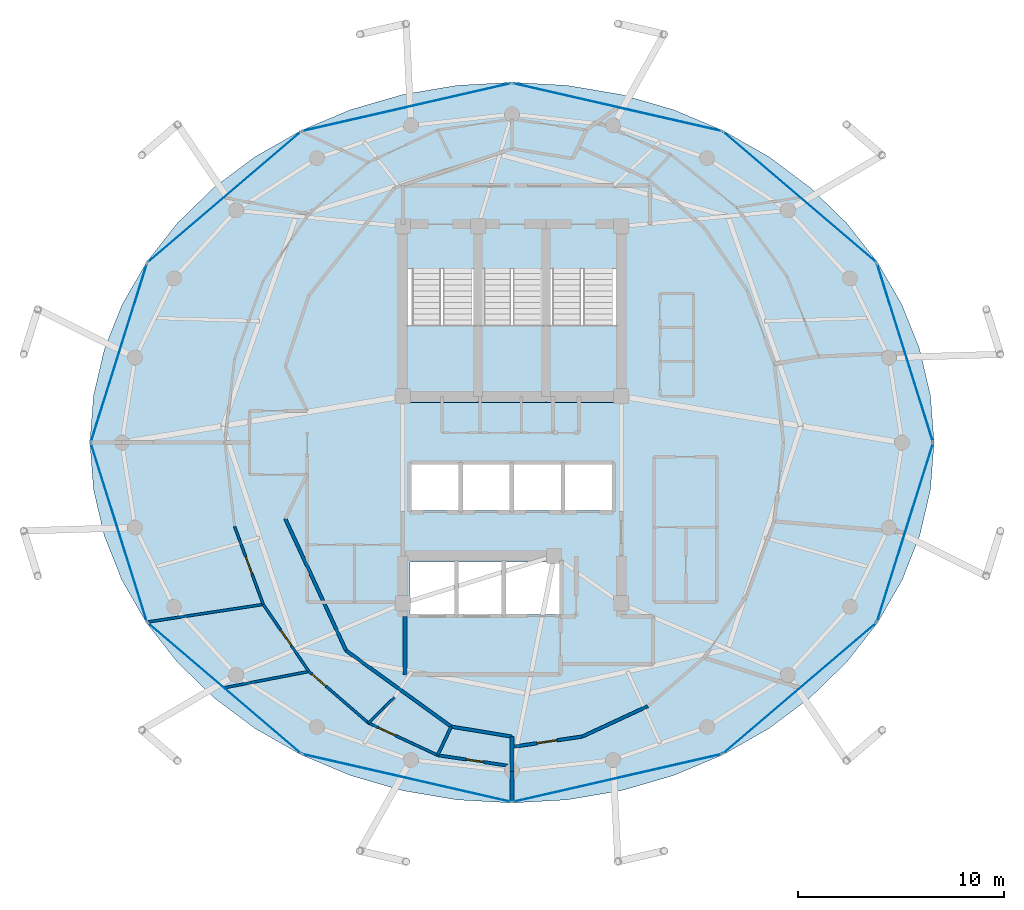
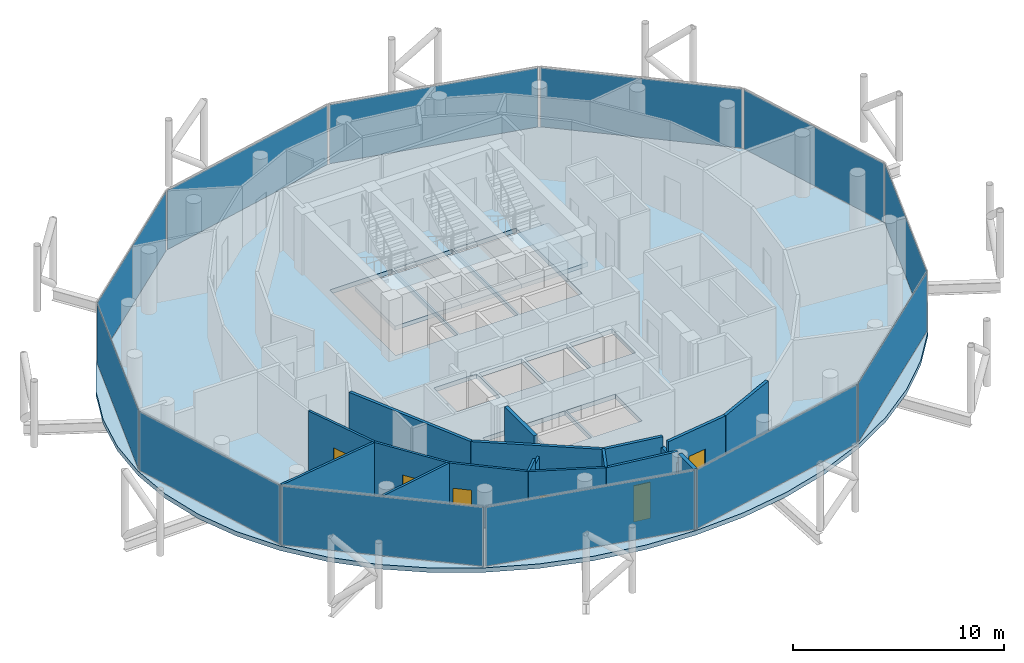
# One storey, part 19 of 24: 18 walls, 12 plates, 6 doors, 4 slabs, 6 openings, 15 elements without a shape of their own.
"""IFC4 building model written with IfcOpenShell, lengths in metres."""

from ifc_helpers import new_model, si_unit, direction, frame, frame_2d, origin, origin_2d, place, context, subcontext, project, spatial, polyline, rectangle, outline, extrude, material, layer, layer_set, type_object, element, fill, aggregate, save


model = new_model("IFC4")

# Units and contexts
model_context = context("Model", 3, precision=1e-05, world=origin(), true_north=direction((0.0, 1.0)))
body_context = subcontext(model_context, "Body", "Model", "MODEL_VIEW")
ifc_project = project(units=[si_unit("LENGTHUNIT", "METRE"), si_unit("AREAUNIT", "SQUARE_METRE"), si_unit("VOLUMEUNIT", "CUBIC_METRE"), si_unit("PLANEANGLEUNIT", "RADIAN"), si_unit("MASSUNIT", "GRAM", prefix="KILO")], contexts=[model_context])

# Site, building, storey
site_placement = place(None, origin())
site = spatial("IfcSite", under=ifc_project, at=site_placement, CompositionType="ELEMENT")
building_placement = place(site_placement, origin())
building = spatial("IfcBuilding", under=site, at=building_placement, Name="Nuhasar Tower", CompositionType="ELEMENT")
storey_placement = place(building_placement, frame((0.0, 0.0, 289.800048828125)))
storey = spatial("IfcBuildingStorey", under=building, at=storey_placement, Name="L72", CompositionType="ELEMENT", Elevation=289.800048828125)

# Curtain wall, plate
ifc_material_1 = material(Name="Aluminium 6063-T6", Category="aluminium")
ifc_layer_1 = layer(ifc_material_1, 0.18994140625)
ifc_layer_set_1 = layer_set([ifc_layer_1], Name="Aluminium 6063-T6")
curtain_wall_type = type_object("IfcCurtainWallType", Name="CW-Z4-PEN", PredefinedType="NOTDEFINED", material=ifc_layer_set_1)
curtain_wall_1_placement = place(storey_placement, origin())
curtain_wall_1 = element("IfcCurtainWall", 1, at=curtain_wall_1_placement, inside=storey, type_object=curtain_wall_type, Name="L72 Unitised Curtain Wall 01", PredefinedType="NOTDEFINED")
ifc_material_2 = material(Name="Glass Double Low-E", Category="glass")
ifc_layer_2 = layer(ifc_material_2, 0.028076171875)
ifc_layer_set_2 = layer_set([ifc_layer_2], Name="Glass Double Low-E")
plate_type = type_object("IfcPlateType", Name="CW-PANEL-GLZ", PredefinedType="CURTAIN_PANEL", material=ifc_layer_set_2)
plate_1_placement = place(storey_placement, frame((58.089599609375, 31.1650390625, 0.06005859375), z_axis=(0.0, 0.0, 1.0), x_axis=(-0.299556614146, 0.954078526601, 0.0)))
plate_1 = element("IfcPlate", 2, at=plate_1_placement, type_object=plate_type, Name="CW-Z4 panel 1.1", PredefinedType="CURTAIN_PANEL", context=body_context, shape_type="SweptSolid", body=[
    extrude(rectangle(XDim=9.0302734375, YDim=0.028076171875, at=origin_2d()), origin(), (0.0, 0.0, 1.0), 3.419921875),
])
aggregate(curtain_wall_1, [plate_1])

curtain_wall_2_placement = place(storey_placement, origin())
curtain_wall_2 = element("IfcCurtainWall", 3, at=curtain_wall_2_placement, inside=storey, type_object=curtain_wall_type, Name="L72 Unitised Curtain Wall 02", PredefinedType="NOTDEFINED")
plate_2_placement = place(storey_placement, frame((52.974609375, 38.7255859375, 0.06005859375), z_axis=(0.0, 0.0, 1.0), x_axis=(-0.760667252327, 0.649141996205, 0.0)))
plate_2 = element("IfcPlate", 4, at=plate_2_placement, type_object=plate_type, Name="CW-Z4 panel 1.1", PredefinedType="CURTAIN_PANEL", context=body_context, shape_type="SweptSolid", body=[
    extrude(rectangle(XDim=9.725341796875, YDim=0.028076171875, at=origin_2d()), origin(), (0.0, 0.0, 1.0), 3.419921875),
])
aggregate(curtain_wall_2, [plate_2])

curtain_wall_3_placement = place(storey_placement, origin())
curtain_wall_3 = element("IfcCurtainWall", 5, at=curtain_wall_3_placement, inside=storey, type_object=curtain_wall_type, Name="L72 Unitised Curtain Wall 03", PredefinedType="NOTDEFINED")
plate_3_placement = place(storey_placement, frame((44.114990234375, 43.090576171875, 0.06005859375), z_axis=(0.0, 0.0, 1.0), x_axis=(-0.97484371891, 0.222889487645, 0.0)))
plate_3 = element("IfcPlate", 6, at=plate_3_placement, type_object=plate_type, Name="CW-Z4 panel 1.1", PredefinedType="CURTAIN_PANEL", context=body_context, shape_type="SweptSolid", body=[
    extrude(rectangle(XDim=10.3740234375, YDim=0.028076171875, at=origin_2d()), origin(), (0.0, 0.0, 1.0), 3.419921875),
])
aggregate(curtain_wall_3, [plate_3])

curtain_wall_4_placement = place(storey_placement, origin())
curtain_wall_4 = element("IfcCurtainWall", 7, at=curtain_wall_4_placement, inside=storey, type_object=curtain_wall_type, Name="L72 Unitised Curtain Wall 04", PredefinedType="NOTDEFINED")
plate_4_placement = place(storey_placement, frame((33.885009765625, 43.090576171875, 0.06005859375), z_axis=(0.0, 0.0, 1.0), x_axis=(-0.97484371891, -0.222889487645, 0.0)))
plate_4 = element("IfcPlate", 8, at=plate_4_placement, type_object=plate_type, Name="CW-Z4 panel 1.1", PredefinedType="CURTAIN_PANEL", context=body_context, shape_type="SweptSolid", body=[
    extrude(rectangle(XDim=10.3740234375, YDim=0.028076171875, at=origin_2d()), origin(), (0.0, 0.0, 1.0), 3.419921875),
])
aggregate(curtain_wall_4, [plate_4])

curtain_wall_5_placement = place(storey_placement, origin())
curtain_wall_5 = element("IfcCurtainWall", 9, at=curtain_wall_5_placement, inside=storey, type_object=curtain_wall_type, Name="L72 Unitised Curtain Wall 05", PredefinedType="NOTDEFINED")
plate_5_placement = place(storey_placement, frame((25.025390625, 38.7255859375, 0.06005859375), z_axis=(0.0, 0.0, 1.0), x_axis=(-0.760667252327, -0.649141996205, 0.0)))
plate_5 = element("IfcPlate", 10, at=plate_5_placement, type_object=plate_type, Name="CW-Z4 panel 1.1", PredefinedType="CURTAIN_PANEL", context=body_context, shape_type="SweptSolid", body=[
    extrude(rectangle(XDim=9.725341796875, YDim=0.028076171875, at=origin_2d()), origin(), (0.0, 0.0, 1.0), 3.419921875),
])
aggregate(curtain_wall_5, [plate_5])

curtain_wall_6_placement = place(storey_placement, origin())
curtain_wall_6 = element("IfcCurtainWall", 11, at=curtain_wall_6_placement, inside=storey, type_object=curtain_wall_type, Name="L72 Unitised Curtain Wall 06", PredefinedType="NOTDEFINED")
plate_6_placement = place(storey_placement, frame((19.910400390625, 31.1650390625, 0.06005859375), z_axis=(0.0, 0.0, 1.0), x_axis=(-0.299556614146, -0.954078526601, 0.0)))
plate_6 = element("IfcPlate", 12, at=plate_6_placement, type_object=plate_type, Name="CW-Z4 panel 1.1", PredefinedType="CURTAIN_PANEL", context=body_context, shape_type="SweptSolid", body=[
    extrude(rectangle(XDim=9.0302734375, YDim=0.028076171875, at=origin_2d()), origin(), (0.0, 0.0, 1.0), 3.419921875),
])
aggregate(curtain_wall_6, [plate_6])

curtain_wall_7_placement = place(storey_placement, origin())
curtain_wall_7 = element("IfcCurtainWall", 13, at=curtain_wall_7_placement, inside=storey, type_object=curtain_wall_type, Name="L72 Unitised Curtain Wall 07", PredefinedType="NOTDEFINED")
plate_7_placement = place(storey_placement, frame((19.910400390625, 22.43505859375, 0.06005859375), z_axis=(0.0, 0.0, 1.0), x_axis=(0.299556614146, -0.954078526601, 0.0)))
plate_7 = element("IfcPlate", 14, at=plate_7_placement, type_object=plate_type, Name="CW-Z4 panel 1.1", PredefinedType="CURTAIN_PANEL", context=body_context, shape_type="SweptSolid", body=[
    extrude(rectangle(XDim=9.0302734375, YDim=0.028076171875, at=origin_2d()), origin(), (0.0, 0.0, 1.0), 3.419921875),
])
aggregate(curtain_wall_7, [plate_7])

curtain_wall_8_placement = place(storey_placement, origin())
curtain_wall_8 = element("IfcCurtainWall", 15, at=curtain_wall_8_placement, inside=storey, type_object=curtain_wall_type, Name="L72 Unitised Curtain Wall 08", PredefinedType="NOTDEFINED")
plate_8_placement = place(storey_placement, frame((25.025390625, 14.87451171875, 0.06005859375), z_axis=(0.0, 0.0, 1.0), x_axis=(0.760667252327, -0.649141996205, 0.0)))
plate_8 = element("IfcPlate", 16, at=plate_8_placement, type_object=plate_type, Name="CW-Z4 panel 1.1", PredefinedType="CURTAIN_PANEL", context=body_context, shape_type="SweptSolid", body=[
    extrude(rectangle(XDim=9.725341796875, YDim=0.028076171875, at=origin_2d()), origin(), (0.0, 0.0, 1.0), 3.419921875),
])
aggregate(curtain_wall_8, [plate_8])

curtain_wall_9_placement = place(storey_placement, origin())
curtain_wall_9 = element("IfcCurtainWall", 17, at=curtain_wall_9_placement, inside=storey, type_object=curtain_wall_type, Name="L72 Unitised Curtain Wall 09", PredefinedType="NOTDEFINED")
plate_9_placement = place(storey_placement, frame((33.885009765625, 10.509521484375, 0.06005859375), z_axis=(0.0, 0.0, 1.0), x_axis=(0.97484371891, -0.222889487645, 0.0)))
plate_9 = element("IfcPlate", 18, at=plate_9_placement, type_object=plate_type, Name="CW-Z4 panel 1.1", PredefinedType="CURTAIN_PANEL", context=body_context, shape_type="SweptSolid", body=[
    extrude(rectangle(XDim=10.3740234375, YDim=0.028076171875, at=origin_2d()), origin(), (0.0, 0.0, 1.0), 3.419921875),
])
aggregate(curtain_wall_9, [plate_9])

curtain_wall_10_placement = place(storey_placement, origin())
curtain_wall_10 = element("IfcCurtainWall", 19, at=curtain_wall_10_placement, inside=storey, type_object=curtain_wall_type, Name="L72 Unitised Curtain Wall 10", PredefinedType="NOTDEFINED")
plate_10_placement = place(storey_placement, frame((44.114990234375, 10.509521484375, 0.06005859375), z_axis=(0.0, 0.0, 1.0), x_axis=(0.97484371891, 0.222889487645, 0.0)))
plate_10 = element("IfcPlate", 20, at=plate_10_placement, type_object=plate_type, Name="CW-Z4 panel 1.1", PredefinedType="CURTAIN_PANEL", context=body_context, shape_type="SweptSolid", body=[
    extrude(rectangle(XDim=10.3740234375, YDim=0.028076171875, at=origin_2d()), origin(), (0.0, 0.0, 1.0), 3.419921875),
])
aggregate(curtain_wall_10, [plate_10])

curtain_wall_11_placement = place(storey_placement, origin())
curtain_wall_11 = element("IfcCurtainWall", 21, at=curtain_wall_11_placement, inside=storey, type_object=curtain_wall_type, Name="L72 Unitised Curtain Wall 11", PredefinedType="NOTDEFINED")
plate_11_placement = place(storey_placement, frame((52.974609375, 14.87451171875, 0.06005859375), z_axis=(0.0, 0.0, 1.0), x_axis=(0.760667252327, 0.649141996205, 0.0)))
plate_11 = element("IfcPlate", 22, at=plate_11_placement, type_object=plate_type, Name="CW-Z4 panel 1.1", PredefinedType="CURTAIN_PANEL", context=body_context, shape_type="SweptSolid", body=[
    extrude(rectangle(XDim=9.725341796875, YDim=0.028076171875, at=origin_2d()), origin(), (0.0, 0.0, 1.0), 3.419921875),
])
aggregate(curtain_wall_11, [plate_11])

curtain_wall_12_placement = place(storey_placement, origin())
curtain_wall_12 = element("IfcCurtainWall", 23, at=curtain_wall_12_placement, inside=storey, type_object=curtain_wall_type, Name="L72 Unitised Curtain Wall 12", PredefinedType="NOTDEFINED")
plate_12_placement = place(storey_placement, frame((58.089599609375, 22.43505859375, 0.06005859375), z_axis=(0.0, 0.0, 1.0), x_axis=(0.299556614146, 0.954078526601, 0.0)))
plate_12 = element("IfcPlate", 24, at=plate_12_placement, type_object=plate_type, Name="CW-Z4 panel 1.1", PredefinedType="CURTAIN_PANEL", context=body_context, shape_type="SweptSolid", body=[
    extrude(rectangle(XDim=9.0302734375, YDim=0.028076171875, at=origin_2d()), origin(), (0.0, 0.0, 1.0), 3.419921875),
])
aggregate(curtain_wall_12, [plate_12])

# Stair, slab
ifc_material_3 = material(Name="Concrete C45/55", Category="concrete")
stair_type_1 = type_object("IfcStairType", Name="STR-ST-01-2F-22R-1727", PredefinedType="HALF_TURN_STAIR", material=ifc_material_3)
stair_1_placement = place(storey_placement, origin())
stair_1 = element("IfcStair", 25, at=stair_1_placement, inside=storey, type_object=stair_type_1, Name="L72 Exit Stair ST-01", PredefinedType="HALF_TURN_STAIR")
ifc_layer_3 = layer(ifc_material_3, 0.239990234375)
ifc_layer_set_3 = layer_set([ifc_layer_3], Name="Concrete C45/55")
slab_type_1 = type_object("IfcSlabType", Name="SLB-STAIR-LND-240", PredefinedType="LANDING", material=ifc_layer_set_3)
slab_1_placement = place(storey_placement, frame((0.0, 0.0, 1.659912109375)))
slab_1 = element("IfcSlab", 26, at=slab_1_placement, type_object=slab_type_1, Name="ST-01 landing 1", PredefinedType="LANDING", context=body_context, shape_type="SweptSolid", body=[
    extrude(outline(polyline([(33.699951171875, 28.75), (37.35009765625, 28.75), (37.35009765625, 32.52001953125), (33.699951171875, 32.52001953125), (33.699951171875, 28.75)])), origin(), (0.0, 0.0, 1.0), 0.239990234375),
])
aggregate(stair_1, [slab_1])

stair_type_2 = type_object("IfcStairType", Name="STR-ST-03-2F-22R-1727", PredefinedType="HALF_TURN_STAIR", material=ifc_material_3)
stair_2_placement = place(storey_placement, origin())
stair_2 = element("IfcStair", 27, at=stair_2_placement, inside=storey, type_object=stair_type_2, Name="L72 Exit Stair ST-03", PredefinedType="HALF_TURN_STAIR")
slab_2_placement = place(storey_placement, frame((0.0, 0.0, 1.659912109375)))
slab_2 = element("IfcSlab", 28, at=slab_2_placement, type_object=slab_type_1, Name="ST-03 landing 1", PredefinedType="LANDING", context=body_context, shape_type="SweptSolid", body=[
    extrude(outline(polyline([(37.35009765625, 28.75), (40.64990234375, 28.75), (40.64990234375, 32.52001953125), (37.35009765625, 32.52001953125), (37.35009765625, 28.75)])), origin(), (0.0, 0.0, 1.0), 0.239990234375),
])
aggregate(stair_2, [slab_2])

stair_type_3 = type_object("IfcStairType", Name="STR-ST-02-2F-22R-1727", PredefinedType="HALF_TURN_STAIR", material=ifc_material_3)
stair_3_placement = place(storey_placement, origin())
stair_3 = element("IfcStair", 29, at=stair_3_placement, inside=storey, type_object=stair_type_3, Name="L72 Exit Stair ST-02", PredefinedType="HALF_TURN_STAIR")
slab_3_placement = place(storey_placement, frame((0.0, 0.0, 1.659912109375)))
slab_3 = element("IfcSlab", 30, at=slab_3_placement, type_object=slab_type_1, Name="ST-02 landing 1", PredefinedType="LANDING", context=body_context, shape_type="SweptSolid", body=[
    extrude(outline(polyline([(40.64990234375, 28.75), (44.300048828125, 28.75), (44.300048828125, 32.52001953125), (40.64990234375, 32.52001953125), (40.64990234375, 28.75)])), origin(), (0.0, 0.0, 1.0), 0.239990234375),
])
aggregate(stair_3, [slab_3])

# Slab
ifc_material_4 = material(Name="Concrete C50/60", Category="concrete")
ifc_layer_4 = layer(ifc_material_4, 0.260009765625)
ifc_layer_set_4 = layer_set([ifc_layer_4], Name="Concrete C50/60")
slab_type_2 = type_object("IfcSlabType", Name="SLB-Z1A-260", PredefinedType="FLOOR", material=ifc_layer_set_4)
slab_4_placement = place(storey_placement, frame((0.0, 0.0, -0.260009765625)))
element("IfcSlab", 31, at=slab_4_placement, inside=storey, type_object=slab_type_2, Name="L72 Structural Slab", PredefinedType="FLOOR", context=body_context, shape_type="SweptSolid", body=[
    extrude(outline(polyline([(59.5, 26.800048828125), (59.324951171875, 29.083984375), (58.801025390625, 31.3291015625), (57.93994140625, 33.4970703125), (56.75390625, 35.550048828125), (55.263916015625, 37.452880859375), (53.49609375, 39.174072265625), (51.47998046875, 40.68408203125), (49.25, 41.955078125), (46.844970703125, 42.968017578125), (44.305908203125, 43.7041015625), (41.676025390625, 44.14990234375), (39.0, 44.300048828125), (36.323974609375, 44.14990234375), (33.694091796875, 43.7041015625), (31.155029296875, 42.968017578125), (28.75, 41.955078125), (26.52001953125, 40.68408203125), (24.50390625, 39.174072265625), (22.736083984375, 37.452880859375), (21.24609375, 35.550048828125), (20.06005859375, 33.4970703125), (19.198974609375, 31.3291015625), (18.675048828125, 29.083984375), (18.5, 26.800048828125), (18.675048828125, 24.51611328125), (19.198974609375, 22.27099609375), (20.06005859375, 20.10302734375), (21.24609375, 18.050048828125), (22.736083984375, 16.14697265625), (24.50390625, 14.426025390625), (26.52001953125, 12.916015625), (28.75, 11.64501953125), (31.155029296875, 10.632080078125), (33.694091796875, 9.89599609375), (36.323974609375, 9.449951171875), (39.0, 9.300048828125), (41.676025390625, 9.449951171875), (44.305908203125, 9.89599609375), (46.844970703125, 10.632080078125), (49.25, 11.64501953125), (51.47998046875, 12.916015625), (53.49609375, 14.426025390625), (55.263916015625, 16.14697265625), (56.75390625, 18.050048828125), (57.93994140625, 20.10302734375), (58.801025390625, 22.27099609375), (59.324951171875, 24.51611328125), (59.5, 26.800048828125)]), holes=[polyline([(33.8798828125, 35.25), (37.300048828125, 35.25), (37.300048828125, 29.0), (33.8798828125, 29.0), (33.8798828125, 35.25)]), polyline([(37.39990234375, 35.25), (40.60009765625, 35.25), (40.60009765625, 29.0), (37.39990234375, 29.0), (37.39990234375, 35.25)]), polyline([(40.699951171875, 35.25), (44.1201171875, 35.25), (44.1201171875, 29.0), (40.699951171875, 29.0), (40.699951171875, 35.25)]), polyline([(34.10009765625, 25.75), (36.43994140625, 25.75), (36.43994140625, 23.5), (34.10009765625, 23.5), (34.10009765625, 25.75)]), polyline([(36.580078125, 25.75), (38.919921875, 25.75), (38.919921875, 23.5), (36.580078125, 23.5), (36.580078125, 25.75)]), polyline([(39.06005859375, 25.75), (41.39990234375, 25.75), (41.39990234375, 23.5), (39.06005859375, 23.5), (39.06005859375, 25.75)]), polyline([(41.5400390625, 25.75), (43.8798828125, 25.75), (43.8798828125, 23.5), (41.5400390625, 23.5), (41.5400390625, 25.75)]), polyline([(34.050048828125, 21.0), (36.25, 21.0), (36.25, 18.449951171875), (34.050048828125, 18.449951171875), (34.050048828125, 21.0)]), polyline([(36.35009765625, 21.0), (38.550048828125, 21.0), (38.550048828125, 18.449951171875), (36.35009765625, 18.449951171875), (36.35009765625, 21.0)]), polyline([(38.64990234375, 21.0), (41.320068359375, 21.0), (41.320068359375, 18.449951171875), (38.64990234375, 18.449951171875), (38.64990234375, 21.0)])]), origin(), (0.0, 0.0, 1.0), 0.260009765625),
])

# Wall, opening, door
ifc_material_5 = material(Name="Gypsum Board", Category="gypsum")
ifc_layer_5 = layer(ifc_material_5, 0.159912109375)
ifc_layer_set_5 = layer_set([ifc_layer_5], Name="Gypsum Board")
wall_type_1 = type_object("IfcWallType", Name="WL-CORR-160", PredefinedType="PARTITIONING", material=ifc_layer_set_5)
wall_1_placement = place(storey_placement, frame((42.4140625, 12.52392578125, 0.0), z_axis=(0.0, 0.0, 1.0), x_axis=(-0.989282323844, -0.146015354435, 0.0)))
wall_1 = element("IfcWall", 32, at=wall_1_placement, inside=storey, type_object=wall_type_1, Name="L72 Interior Partition CORR-36", PredefinedType="PARTITIONING", context=body_context, shape_type="SweptSolid", body=[
    extrude(rectangle(XDim=3.450927734375, YDim=0.159912109375, at=frame_2d((1.7255859375, 0.0))), origin(), (0.0, 0.0, 1.0), 3.5400390625),
])
opening_1_placement = place(wall_1_placement, frame((1.22607421875, 0.0, 0.0)))
opening_1 = element("IfcOpeningElement", 33, at=opening_1_placement, cuts=wall_1, Name="Opening DU-02", PredefinedType="OPENING", context=body_context, shape_type="SweptSolid", body=[
    extrude(rectangle(XDim=1.0, YDim=2.14990234375, at=frame_2d((0.5, 1.074951171875))), frame((0.0, 0.08984375, 0.0), z_axis=(0.0, -1.0, 0.0), x_axis=(1.0, 0.0, 0.0)), (0.0, 0.0, 1.0), 0.179931640625),
])
ifc_material_6 = material(Name="Timber Oak", Category="wood")
door_type_1 = type_object("IfcDoorType", Name="DR-FLAT-FD60-1000", OperationType="NOTDEFINED", PredefinedType="DOOR", material=ifc_material_6)
door_1_placement = place(opening_1_placement, origin())
door_1 = element("IfcDoor", 34, at=door_1_placement, inside=storey, type_object=door_type_1, Name="L72 Private Spa Therapy Clinic Entrance Door", OperationType="SINGLE_SWING_RIGHT", OverallHeight=2.14990234375, OverallWidth=1.0, PredefinedType="DOOR", context=body_context, shape_type="SweptSolid", body=[
    extrude(rectangle(XDim=1.0, YDim=2.14990234375, at=frame_2d((0.5, 1.074951171875))), frame((0.0, 0.02490234375, 0.0), z_axis=(0.0, -1.0, 0.0), x_axis=(1.0, 0.0, 0.0)), (0.0, 0.0, 1.0), 0.050048828125),
])
fill(opening_1, door_1)

# Walls
wall_2_placement = place(storey_placement, frame((42.4140625, 12.52392578125, 0.0), z_axis=(0.0, 0.0, 1.0), x_axis=(0.907093473746, 0.420929245703, 0.0)))
element("IfcWall", 35, at=wall_2_placement, inside=storey, type_object=wall_type_1, Name="L72 Interior Partition CORR-38", PredefinedType="PARTITIONING", context=body_context, shape_type="SweptSolid", body=[
    extrude(rectangle(XDim=3.506591796875, YDim=0.159912109375, at=frame_2d((1.75341796875, 0.0))), origin(), (0.0, 0.0, 1.0), 3.5400390625),
])
wall_3_placement = place(storey_placement, frame((27.988037109375, 23.10400390625, 0.0), z_axis=(0.0, 0.0, 1.0), x_axis=(0.418656179426, -0.908144814128, 0.0)))
element("IfcWall", 36, at=wall_3_placement, inside=storey, type_object=wall_type_1, Name="L72 Interior Partition UWEST-CORE-S1-26", PredefinedType="PARTITIONING", context=body_context, shape_type="SweptSolid", body=[
    extrude(rectangle(XDim=7.048583984375, YDim=0.159912109375, at=frame_2d((3.5244140625, 0.0))), origin(), (0.0, 0.0, 1.0), 3.5400390625),
])
wall_4_placement = place(storey_placement, frame((30.93896484375, 16.702880859375, 0.0), z_axis=(0.0, 0.0, 1.0), x_axis=(0.810290119061, -0.586028943784, 0.0)))
element("IfcWall", 37, at=wall_4_placement, inside=storey, type_object=wall_type_1, Name="L72 Interior Partition UWEST-CORE-S1-30", PredefinedType="PARTITIONING", context=body_context, shape_type="SweptSolid", body=[
    extrude(rectangle(XDim=6.306396484375, YDim=0.159912109375, at=frame_2d((3.1533203125, 0.0))), origin(), (0.0, 0.0, 1.0), 3.5400390625),
])
wall_5_placement = place(storey_placement, frame((36.049072265625, 13.007080078125, 0.0), z_axis=(0.0, 0.0, 1.0), x_axis=(0.986650832406, -0.162850038111, 0.0)))
element("IfcWall", 38, at=wall_5_placement, inside=storey, type_object=wall_type_1, Name="L72 Interior Partition UWEST-CORE-S2-34", PredefinedType="PARTITIONING", context=body_context, shape_type="SweptSolid", body=[
    extrude(rectangle(XDim=2.990966796875, YDim=0.159912109375, at=frame_2d((1.49560546875, 0.0))), origin(), (0.0, 0.0, 1.0), 3.5400390625),
])
ifc_layer_6 = layer(ifc_material_3, 0.199951171875)
ifc_layer_set_6 = layer_set([ifc_layer_6], Name="Concrete C45/55")
wall_type_2 = type_object("IfcWallType", Name="WL-LOBBY-200", PredefinedType="SOLIDWALL", material=ifc_layer_set_6)
wall_6_placement = place(storey_placement, frame((33.800048828125, 15.550048828125, 0.0), z_axis=(0.0, 0.0, 1.0), x_axis=(0.0, 1.0, 0.0)))
element("IfcWall", 39, at=wall_6_placement, inside=storey, type_object=wall_type_2, Name="L72 Interior Partition FFL-W", PredefinedType="SOLIDWALL", context=body_context, shape_type="SweptSolid", body=[
    extrude(rectangle(XDim=2.800048828125, YDim=0.199951171875, at=frame_2d((1.39990234375, 0.0))), origin(), (0.0, 0.0, 1.0), 3.5400390625),
])

# Wall, opening, door
ifc_layer_7 = layer(ifc_material_5, 0.125)
ifc_layer_set_7 = layer_set([ifc_layer_7], Name="Gypsum Board")
wall_type_3 = type_object("IfcWallType", Name="WL-PART-125", PredefinedType="PARTITIONING", material=ifc_layer_set_7)
wall_7_placement = place(storey_placement, frame((35.388916015625, 11.615966796875, 0.0), z_axis=(0.0, 0.0, 1.0), x_axis=(-0.906162977721, 0.422928667517, 0.0)))
wall_7 = element("IfcWall", 40, at=wall_7_placement, inside=storey, type_object=wall_type_3, Name="L72 Interior Partition USM-2-K-32", PredefinedType="PARTITIONING", context=body_context, shape_type="SweptSolid", body=[
    extrude(rectangle(XDim=3.71240234375, YDim=0.125, at=frame_2d((1.856201171875, 0.0))), origin(), (0.0, 0.0, 1.0), 3.5400390625),
])
opening_2_placement = place(wall_7_placement, frame((2.260009765625, 0.0, 0.0)))
opening_2 = element("IfcOpeningElement", 41, at=opening_2_placement, cuts=wall_7, Name="Opening DR-01", PredefinedType="OPENING", context=body_context, shape_type="SweptSolid", body=[
    extrude(rectangle(XDim=0.89990234375, YDim=2.10009765625, at=frame_2d((0.449951171875, 1.050048828125))), frame((0.0, 0.072509765625, 0.0), z_axis=(0.0, -1.0, 0.0), x_axis=(1.0, 0.0, 0.0)), (0.0, 0.0, 1.0), 0.14501953125),
])
door_type_2 = type_object("IfcDoorType", Name="DR-ROOM-900", OperationType="NOTDEFINED", PredefinedType="DOOR", material=ifc_material_6)
door_2_placement = place(opening_2_placement, origin())
door_2 = element("IfcDoor", 42, at=door_2_placement, inside=storey, type_object=door_type_2, Name="L72 South-West Sky Home Kitchen Door", OperationType="SINGLE_SWING_RIGHT", OverallHeight=2.10009765625, OverallWidth=0.89990234375, PredefinedType="DOOR", context=body_context, shape_type="SweptSolid", body=[
    extrude(rectangle(XDim=0.89990234375, YDim=2.10009765625, at=frame_2d((0.449951171875, 1.050048828125))), frame((0.0, 0.02490234375, 0.0), z_axis=(0.0, -1.0, 0.0), x_axis=(1.0, 0.0, 0.0)), (0.0, 0.0, 1.0), 0.050048828125),
])
fill(opening_2, door_2)

# Walls
wall_8_placement = place(storey_placement, frame((33.300048828125, 14.43310546875, 0.0), z_axis=(0.0, 0.0, 1.0), x_axis=(-0.714672361604, -0.699459373774, 0.0)))
element("IfcWall", 43, at=wall_8_placement, inside=storey, type_object=wall_type_3, Name="L72 Interior Partition USI-2-DK", PredefinedType="PARTITIONING", context=body_context, shape_type="SweptSolid", body=[
    extrude(rectangle(XDim=0.72216796875, YDim=0.125, at=frame_2d((0.361083984375, 0.0))), origin(), (0.0, 0.0, 1.0), 3.18505859375),
])
wall_9_placement = place(storey_placement, frame((32.783935546875, 13.927978515625, 0.0), z_axis=(0.0, 0.0, 1.0), x_axis=(-0.715111418379, -0.699010485833, 0.0)))
element("IfcWall", 44, at=wall_9_placement, inside=storey, type_object=wall_type_3, Name="L72 Interior Partition USI-2-DK", PredefinedType="PARTITIONING", context=body_context, shape_type="SweptSolid", body=[
    extrude(rectangle(XDim=1.0615234375, YDim=0.125, at=frame_2d((0.53076171875, 0.0))), origin(), (0.0, 0.0, 1.0), 3.5400390625),
])

# Wall, opening, door
wall_10_placement = place(storey_placement, frame((26.9189453125, 18.93994140625, 0.0), z_axis=(0.0, 0.0, 1.0), x_axis=(-0.345128286029, 0.938555521097, 0.0)))
wall_10 = element("IfcWall", 45, at=wall_10_placement, inside=storey, type_object=wall_type_3, Name="L72 Interior Partition USM-2-D-26", PredefinedType="PARTITIONING", context=body_context, shape_type="SweptSolid", body=[
    extrude(rectangle(XDim=4.039306640625, YDim=0.125, at=frame_2d((2.01953125, 0.0))), origin(), (0.0, 0.0, 1.0), 3.5400390625),
])
opening_3_placement = place(wall_10_placement, frame((1.570068359375, 0.0, 0.0)))
opening_3 = element("IfcOpeningElement", 46, at=opening_3_placement, cuts=wall_10, Name="Opening DR-01", PredefinedType="OPENING", context=body_context, shape_type="SweptSolid", body=[
    extrude(rectangle(XDim=0.89990234375, YDim=2.10009765625, at=frame_2d((0.449951171875, 1.050048828125))), frame((0.0, 0.072509765625, 0.0), z_axis=(0.0, -1.0, 0.0), x_axis=(1.0, 0.0, 0.0)), (0.0, 0.0, 1.0), 0.14501953125),
])
door_3_placement = place(opening_3_placement, origin())
door_3 = element("IfcDoor", 47, at=door_3_placement, inside=storey, type_object=door_type_2, Name="L72 South-West Sky Home Living Door", OperationType="SINGLE_SWING_RIGHT", OverallHeight=2.10009765625, OverallWidth=0.89990234375, PredefinedType="DOOR", context=body_context, shape_type="SweptSolid", body=[
    extrude(rectangle(XDim=0.89990234375, YDim=2.10009765625, at=frame_2d((0.449951171875, 1.050048828125))), frame((0.0, 0.02490234375, 0.0), z_axis=(0.0, -1.0, 0.0), x_axis=(1.0, 0.0, 0.0)), (0.0, 0.0, 1.0), 0.050048828125),
])
fill(opening_3, door_3)

wall_11_placement = place(storey_placement, frame((29.135986328125, 15.68408203125, 0.0), z_axis=(0.0, 0.0, 1.0), x_axis=(-0.562840533245, 0.826565505049, 0.0)))
wall_11 = element("IfcWall", 48, at=wall_11_placement, inside=storey, type_object=wall_type_3, Name="L72 Interior Partition USM-2-D-28", PredefinedType="PARTITIONING", context=body_context, shape_type="SweptSolid", body=[
    extrude(rectangle(XDim=3.93896484375, YDim=0.125, at=frame_2d((1.969482421875, 0.0))), origin(), (0.0, 0.0, 1.0), 3.5400390625),
])
opening_4_placement = place(wall_11_placement, frame((1.52001953125, 0.0, 0.0)))
opening_4 = element("IfcOpeningElement", 49, at=opening_4_placement, cuts=wall_11, Name="Opening DR-01", PredefinedType="OPENING", context=body_context, shape_type="SweptSolid", body=[
    extrude(rectangle(XDim=0.89990234375, YDim=2.10009765625, at=frame_2d((0.449951171875, 1.050048828125))), frame((0.0, 0.072509765625, 0.0), z_axis=(0.0, -1.0, 0.0), x_axis=(1.0, 0.0, 0.0)), (0.0, 0.0, 1.0), 0.14501953125),
])
door_4_placement = place(opening_4_placement, origin())
door_4 = element("IfcDoor", 50, at=door_4_placement, inside=storey, type_object=door_type_2, Name="L72 South-West Sky Home Study Door", OperationType="SINGLE_SWING_LEFT", OverallHeight=2.10009765625, OverallWidth=0.89990234375, PredefinedType="DOOR", context=body_context, shape_type="SweptSolid", body=[
    extrude(rectangle(XDim=0.89990234375, YDim=2.10009765625, at=frame_2d((0.449951171875, 1.050048828125))), frame((0.0, 0.02490234375, 0.0), z_axis=(0.0, -1.0, 0.0), x_axis=(1.0, 0.0, 0.0)), (0.0, 0.0, 1.0), 0.050048828125),
])
fill(opening_4, door_4)

wall_12_placement = place(storey_placement, frame((32.02490234375, 13.18603515625, 0.0), z_axis=(0.0, 0.0, 1.0), x_axis=(-0.756424716633, 0.654080765706, 0.0)))
wall_12 = element("IfcWall", 51, at=wall_12_placement, inside=storey, type_object=wall_type_3, Name="L72 Interior Partition USM-2-D-30", PredefinedType="PARTITIONING", context=body_context, shape_type="SweptSolid", body=[
    extrude(rectangle(XDim=3.819091796875, YDim=0.125, at=frame_2d((1.90966796875, 0.0))), origin(), (0.0, 0.0, 1.0), 3.5400390625),
])
opening_5_placement = place(wall_12_placement, frame((2.718994140625, 0.0, 0.0)))
opening_5 = element("IfcOpeningElement", 52, at=opening_5_placement, cuts=wall_12, Name="Opening DR-01", PredefinedType="OPENING", context=body_context, shape_type="SweptSolid", body=[
    extrude(rectangle(XDim=0.89990234375, YDim=2.10009765625, at=frame_2d((0.449951171875, 1.050048828125))), frame((0.0, 0.072509765625, 0.0), z_axis=(0.0, -1.0, 0.0), x_axis=(1.0, 0.0, 0.0)), (0.0, 0.0, 1.0), 0.14501953125),
])
door_5_placement = place(opening_5_placement, origin())
door_5 = element("IfcDoor", 53, at=door_5_placement, inside=storey, type_object=door_type_2, Name="L72 South-West Sky Home Master Bedroom Door", OperationType="SINGLE_SWING_RIGHT", OverallHeight=2.10009765625, OverallWidth=0.89990234375, PredefinedType="DOOR", context=body_context, shape_type="SweptSolid", body=[
    extrude(rectangle(XDim=0.89990234375, YDim=2.10009765625, at=frame_2d((0.449951171875, 1.050048828125))), frame((0.0, 0.02490234375, 0.0), z_axis=(0.0, -1.0, 0.0), x_axis=(1.0, 0.0, 0.0)), (0.0, 0.0, 1.0), 0.050048828125),
])
fill(opening_5, door_5)

# Walls
wall_13_placement = place(storey_placement, frame((26.9189453125, 18.93994140625, 0.0), z_axis=(0.0, 0.0, 1.0), x_axis=(-0.988653601615, -0.150213368291, 0.0)))
element("IfcWall", 54, at=wall_13_placement, inside=storey, type_object=wall_type_3, Name="L72 Interior Partition USO-2-B1", PredefinedType="PARTITIONING", context=body_context, shape_type="SweptSolid", body=[
    extrude(rectangle(XDim=5.67236328125, YDim=0.125, at=frame_2d((2.836181640625, 0.0))), origin(), (0.0, 0.0, 1.0), 3.5400390625),
])
wall_14_placement = place(storey_placement, frame((29.135986328125, 15.68408203125, 0.0), z_axis=(0.0, 0.0, 1.0), x_axis=(-0.982041578383, -0.188664618643, 0.0)))
element("IfcWall", 55, at=wall_14_placement, inside=storey, type_object=wall_type_3, Name="L72 Interior Partition USO-2-B2", PredefinedType="PARTITIONING", context=body_context, shape_type="SweptSolid", body=[
    extrude(rectangle(XDim=4.16162109375, YDim=0.125, at=frame_2d((2.080810546875, 0.0))), origin(), (0.0, 0.0, 1.0), 3.5400390625),
])
ifc_material_7 = material(Name="Concrete C40/50 precast", Category="concrete")
ifc_layer_8 = layer(ifc_material_7, 0.199951171875)
ifc_layer_set_8 = layer_set([ifc_layer_8], Name="Concrete C40/50 precast")
wall_type_4 = type_object("IfcWallType", Name="WL-UNIT-200", PredefinedType="PARTITIONING", material=ifc_layer_set_8)
wall_15_placement = place(storey_placement, frame((39.0, 12.52001953125, 0.0), z_axis=(0.0, 0.0, 1.0), x_axis=(0.0, -1.0, 0.0)))
element("IfcWall", 56, at=wall_15_placement, inside=storey, type_object=wall_type_4, Name="L72 Interior Partition URAD-36-SW", PredefinedType="PARTITIONING", context=body_context, shape_type="SweptSolid", body=[
    extrude(rectangle(XDim=1.68994140625, YDim=0.199951171875, at=frame_2d((0.844970703125, 0.0))), origin(), (0.0, 0.0, 1.0), 2.925048828125),
])
wall_16_placement = place(storey_placement, frame((39.0, 10.830078125, 0.0), z_axis=(0.0, 0.0, 1.0), x_axis=(0.0, -1.0, 0.0)))
element("IfcWall", 57, at=wall_16_placement, inside=storey, type_object=wall_type_4, Name="L72 Interior Partition URAD-36-SW", PredefinedType="PARTITIONING", context=body_context, shape_type="SweptSolid", body=[
    extrude(rectangle(XDim=1.455078125, YDim=0.199951171875, at=frame_2d((0.7275390625, 0.0))), origin(), (0.0, 0.0, 1.0), 3.5400390625),
])

# Wall, opening, door
ifc_layer_9 = layer(ifc_material_7, 0.139892578125)
ifc_layer_set_9 = layer_set([ifc_layer_9], Name="Concrete C40/50 precast")
wall_type_5 = type_object("IfcWallType", Name="WL-WET-140", PredefinedType="PARTITIONING", material=ifc_layer_set_9)
wall_17_placement = place(storey_placement, frame((39.0, 11.080078125, 0.0), z_axis=(0.0, 0.0, 1.0), x_axis=(-0.989167166266, 0.146793450744, 0.0)))
wall_17 = element("IfcWall", 58, at=wall_17_placement, inside=storey, type_object=wall_type_5, Name="L72 Interior Partition USM-2-B-34", PredefinedType="PARTITIONING", context=body_context, shape_type="SweptSolid", body=[
    extrude(rectangle(XDim=3.650634765625, YDim=0.139892578125, at=frame_2d((1.8251953125, 0.0))), origin(), (0.0, 0.0, 1.0), 3.5400390625),
])
opening_6_placement = place(wall_17_placement, frame((1.39990234375, 0.0, 0.0)))
opening_6 = element("IfcOpeningElement", 59, at=opening_6_placement, cuts=wall_17, Name="Opening DB-01", PredefinedType="OPENING", context=body_context, shape_type="SweptSolid", body=[
    extrude(rectangle(XDim=0.85009765625, YDim=2.10009765625, at=frame_2d((0.425048828125, 1.050048828125))), frame((0.0, 0.080078125, 0.0), z_axis=(0.0, -1.0, 0.0), x_axis=(1.0, 0.0, 0.0)), (0.0, 0.0, 1.0), 0.159912109375),
])
door_type_3 = type_object("IfcDoorType", Name="DR-BATH-850", OperationType="NOTDEFINED", PredefinedType="DOOR", material=ifc_material_6)
door_6_placement = place(opening_6_placement, origin())
door_6 = element("IfcDoor", 60, at=door_6_placement, inside=storey, type_object=door_type_3, Name="L72 South-West Sky Home En-Suite Door", OperationType="SINGLE_SWING_RIGHT", OverallHeight=2.10009765625, OverallWidth=0.85009765625, PredefinedType="DOOR", context=body_context, shape_type="SweptSolid", body=[
    extrude(rectangle(XDim=0.85009765625, YDim=2.10009765625, at=frame_2d((0.425048828125, 1.050048828125))), frame((0.0, 0.02490234375, 0.0), z_axis=(0.0, -1.0, 0.0), x_axis=(1.0, 0.0, 0.0)), (0.0, 0.0, 1.0), 0.050048828125),
])
fill(opening_6, door_6)

# Wall
wall_18_placement = place(storey_placement, frame((36.049072265625, 13.007080078125, 0.0), z_axis=(0.0, 0.0, 1.0), x_axis=(-0.428726905473, -0.903434137347, 0.0)))
element("IfcWall", 61, at=wall_18_placement, inside=storey, type_object=wall_type_5, Name="L72 Interior Partition USI-2-KB", PredefinedType="PARTITIONING", context=body_context, shape_type="SweptSolid", body=[
    extrude(rectangle(XDim=1.539794921875, YDim=0.139892578125, at=frame_2d((0.77001953125, 0.0))), origin(), (0.0, 0.0, 1.0), 3.5400390625),
])

save(model, "model.ifc")
